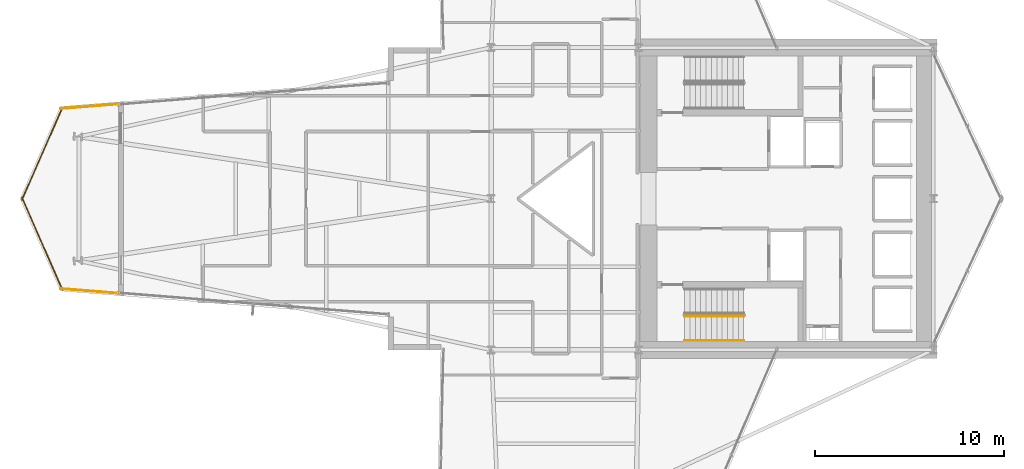
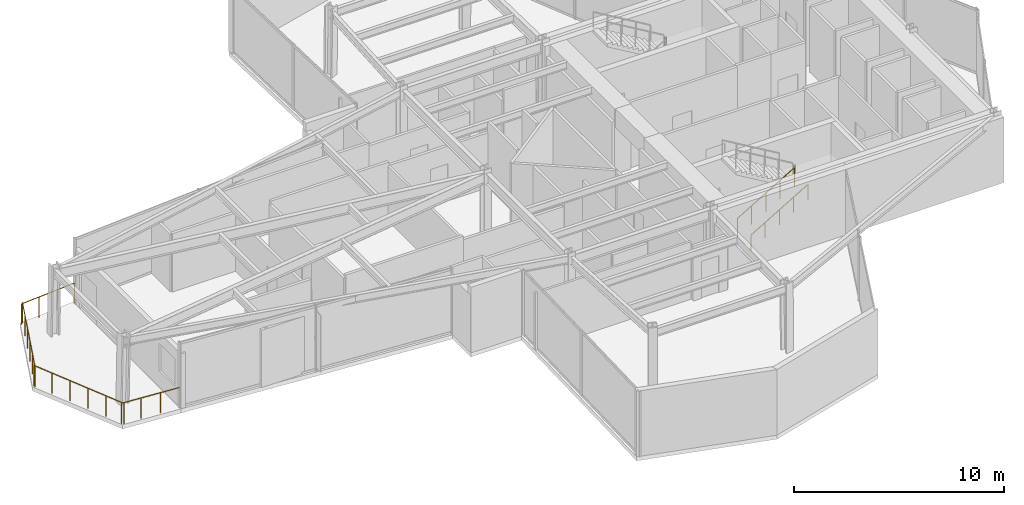
# One storey, part 26 of 27: 6 railings.
"""IFC4 building model written with IfcOpenShell, lengths in metres."""

from ifc_helpers import new_model, si_unit, direction, frame, origin, origin_2d, place, context, subcontext, project, spatial, circle, extrude, material, type_object, element, save


model = new_model("IFC4")

# Units and contexts
model_context = context("Model", 3, precision=1e-05, world=origin(), true_north=direction((0.0, 1.0)))
body_context = subcontext(model_context, "Body", "Model", "MODEL_VIEW")
ifc_project = project(units=[si_unit("LENGTHUNIT", "METRE"), si_unit("AREAUNIT", "SQUARE_METRE"), si_unit("VOLUMEUNIT", "CUBIC_METRE"), si_unit("PLANEANGLEUNIT", "RADIAN"), si_unit("MASSUNIT", "GRAM", prefix="KILO")], contexts=[model_context])

# Site, building, storey
site_placement = place(None, origin())
site = spatial("IfcSite", under=ifc_project, at=site_placement, CompositionType="ELEMENT")
building_placement = place(site_placement, origin())
building = spatial("IfcBuilding", under=site, at=building_placement, Name="Veymaron Broadcast Tower", CompositionType="ELEMENT")
storey_placement = place(building_placement, frame((0.0, 0.0, 86.39990234375)))
storey = spatial("IfcBuildingStorey", under=building, at=storey_placement, Name="L19", CompositionType="ELEMENT", Elevation=86.39990234375)

# Railings
ifc_material_1 = material(Name="Brushed stainless steel AISI 304", Category="steel")
railing_type_1 = type_object("IfcRailingType", Name="RAIL-STAIR-HR", PredefinedType="HANDRAIL", material=ifc_material_1)
railing_1_placement = place(storey_placement, frame((41.429931640625, 16.5, 0.1689453125)))
element("IfcRailing", 1, at=railing_1_placement, inside=storey, type_object=railing_type_1, Name="L19 ST2 stair handrail 1", PredefinedType="HANDRAIL", context=body_context, shape_type="SweptSolid", body=[
    extrude(circle(Radius=0.02392578125, at=origin_2d()), frame((0.0, 0.0, 0.8759765625), z_axis=(0.860481960309, 0.0, 0.509480908359), x_axis=(0.0, 1.0, 0.0)), (0.0, 0.0, 1.0), 3.643310546875),
    extrude(circle(Radius=0.02099609375, at=origin_2d()), origin(), (0.0, 0.0, 1.0), 0.851806640625),
    extrude(circle(Radius=0.02099609375, at=origin_2d()), frame((0.78369140625, 0.0, 0.464111328125)), (0.0, 0.0, 1.0), 0.851806640625),
    extrude(circle(Radius=0.02099609375, at=origin_2d()), frame((1.5673828125, 0.0, 0.92822265625)), (0.0, 0.0, 1.0), 0.851806640625),
    extrude(circle(Radius=0.02099609375, at=origin_2d()), frame((2.351318359375, 0.0, 1.39208984375)), (0.0, 0.0, 1.0), 0.851806640625),
    extrude(circle(Radius=0.02099609375, at=origin_2d()), frame((3.135009765625, 0.0, 1.856201171875)), (0.0, 0.0, 1.0), 0.851806640625),
])
ifc_material_2 = material(Name="Laminated structural sentry-glass and stainless steel AISI 316L", Category="steel")
railing_type_2 = type_object("IfcRailingType", Name="RAIL-TERR-1200", PredefinedType="GUARDRAIL", material=ifc_material_2)
railing_2_placement = place(storey_placement, frame((11.473388671875, 29.006103515625, 0.0)))
element("IfcRailing", 2, at=railing_2_placement, inside=storey, type_object=railing_type_2, Name="L19 sky-terrace perimeter guardrail 2", PredefinedType="GUARDRAIL", context=body_context, shape_type="SweptSolid", body=[
    extrude(circle(Radius=0.02392578125, at=origin_2d()), frame((0.0, 0.0, 1.17578125), z_axis=(-0.996846770384, -0.079350591523, 0.0), x_axis=(0.079350591523, -0.996846770384, 0.0)), (0.0, 0.0, 1.0), 3.07373046875),
    extrude(circle(Radius=0.02099609375, at=origin_2d()), origin(), (0.0, 0.0, 1.0), 1.15185546875),
    extrude(circle(Radius=0.02099609375, at=origin_2d()), frame((-1.021240234375, -0.081298828125, 0.0)), (0.0, 0.0, 1.0), 1.15185546875),
    extrude(circle(Radius=0.02099609375, at=origin_2d()), frame((-2.042724609375, -0.16259765625, 0.0)), (0.0, 0.0, 1.0), 1.15185546875),
    extrude(circle(Radius=0.02099609375, at=origin_2d()), frame((-3.06396484375, -0.243896484375, 0.0)), (0.0, 0.0, 1.0), 1.15185546875),
])
railing_3_placement = place(storey_placement, frame((8.510009765625, 28.83349609375, 0.0)))
element("IfcRailing", 3, at=railing_3_placement, inside=storey, type_object=railing_type_2, Name="L19 sky-terrace perimeter guardrail 3", PredefinedType="GUARDRAIL", context=body_context, shape_type="SweptSolid", body=[
    extrude(circle(Radius=0.02392578125, at=origin_2d()), frame((0.0, 0.0, 1.17578125), z_axis=(-0.400902956229, -0.916120526834, 0.0), x_axis=(0.916120526834, -0.400902956229, 0.0)), (0.0, 0.0, 1.0), 5.32861328125),
    extrude(circle(Radius=0.02099609375, at=origin_2d()), origin(), (0.0, 0.0, 1.0), 1.15185546875),
    extrude(circle(Radius=0.02099609375, at=origin_2d()), frame((-0.42724609375, -0.976318359375, 0.0)), (0.0, 0.0, 1.0), 1.15185546875),
    extrude(circle(Radius=0.02099609375, at=origin_2d()), frame((-0.8544921875, -1.95263671875, 0.0)), (0.0, 0.0, 1.0), 1.15185546875),
    extrude(circle(Radius=0.02099609375, at=origin_2d()), frame((-1.28173828125, -2.928955078125, 0.0)), (0.0, 0.0, 1.0), 1.15185546875),
    extrude(circle(Radius=0.02099609375, at=origin_2d()), frame((-1.708984375, -3.9052734375, 0.0)), (0.0, 0.0, 1.0), 1.15185546875),
    extrude(circle(Radius=0.02099609375, at=origin_2d()), frame((-2.13623046875, -4.881591796875, 0.0)), (0.0, 0.0, 1.0), 1.15185546875),
])
railing_4_placement = place(storey_placement, frame((6.373779296875, 24.048095703125, 0.0)))
element("IfcRailing", 4, at=railing_4_placement, inside=storey, type_object=railing_type_2, Name="L19 sky-terrace perimeter guardrail 4", PredefinedType="GUARDRAIL", context=body_context, shape_type="SweptSolid", body=[
    extrude(circle(Radius=0.02392578125, at=origin_2d()), frame((0.0, 0.0, 1.17578125), z_axis=(0.400902956229, -0.916120526834, 0.0), x_axis=(0.916120526834, 0.400902956229, 0.0)), (0.0, 0.0, 1.0), 5.32861328125),
    extrude(circle(Radius=0.02099609375, at=origin_2d()), origin(), (0.0, 0.0, 1.0), 1.15185546875),
    extrude(circle(Radius=0.02099609375, at=origin_2d()), frame((0.42724609375, -0.976318359375, 0.0)), (0.0, 0.0, 1.0), 1.15185546875),
    extrude(circle(Radius=0.02099609375, at=origin_2d()), frame((0.8544921875, -1.95263671875, 0.0)), (0.0, 0.0, 1.0), 1.15185546875),
    extrude(circle(Radius=0.02099609375, at=origin_2d()), frame((1.28173828125, -2.928955078125, 0.0)), (0.0, 0.0, 1.0), 1.15185546875),
    extrude(circle(Radius=0.02099609375, at=origin_2d()), frame((1.708984375, -3.9052734375, 0.0)), (0.0, 0.0, 1.0), 1.15185546875),
    extrude(circle(Radius=0.02099609375, at=origin_2d()), frame((2.13623046875, -4.881591796875, 0.0)), (0.0, 0.0, 1.0), 1.15185546875),
])
railing_5_placement = place(storey_placement, frame((8.409423828125, 19.23779296875, 0.0)))
element("IfcRailing", 5, at=railing_5_placement, inside=storey, type_object=railing_type_2, Name="L19 sky-terrace perimeter guardrail 5", PredefinedType="GUARDRAIL", context=body_context, shape_type="SweptSolid", body=[
    extrude(circle(Radius=0.02392578125, at=origin_2d()), frame((0.0, 0.0, 1.17578125), z_axis=(0.996846770384, -0.079350591523, 0.0), x_axis=(0.079350591523, 0.996846770384, 0.0)), (0.0, 0.0, 1.0), 3.07373046875),
    extrude(circle(Radius=0.02099609375, at=origin_2d()), origin(), (0.0, 0.0, 1.0), 1.15185546875),
    extrude(circle(Radius=0.02099609375, at=origin_2d()), frame((1.021240234375, -0.081298828125, 0.0)), (0.0, 0.0, 1.0), 1.15185546875),
    extrude(circle(Radius=0.02099609375, at=origin_2d()), frame((2.042724609375, -0.16259765625, 0.0)), (0.0, 0.0, 1.0), 1.15185546875),
    extrude(circle(Radius=0.02099609375, at=origin_2d()), frame((3.06396484375, -0.243896484375, 0.0)), (0.0, 0.0, 1.0), 1.15185546875),
])
ifc_material_3 = material(Name="Painted galvanized steel balustrade", Category="steel")
railing_type_3 = type_object("IfcRailingType", Name="RAIL-WELL-GRD", PredefinedType="GUARDRAIL", material=ifc_material_3)
railing_6_placement = place(storey_placement, frame((41.429931640625, 17.780029296875, 0.1689453125)))
element("IfcRailing", 6, at=railing_6_placement, inside=storey, type_object=railing_type_3, Name="L19 ST2 stair guard 1", PredefinedType="GUARDRAIL", context=body_context, shape_type="SweptSolid", body=[
    extrude(circle(Radius=0.02392578125, at=origin_2d()), frame((0.0, 0.0, 1.076171875), z_axis=(0.860481960309, 0.0, 0.509480908359), x_axis=(0.0, 1.0, 0.0)), (0.0, 0.0, 1.0), 3.643310546875),
    extrude(circle(Radius=0.02099609375, at=origin_2d()), origin(), (0.0, 0.0, 1.0), 1.052001953125),
    extrude(circle(Radius=0.02099609375, at=origin_2d()), frame((0.78369140625, 0.0, 0.464111328125)), (0.0, 0.0, 1.0), 1.052001953125),
    extrude(circle(Radius=0.02099609375, at=origin_2d()), frame((1.5673828125, 0.0, 0.92822265625)), (0.0, 0.0, 1.0), 1.052001953125),
    extrude(circle(Radius=0.02099609375, at=origin_2d()), frame((2.351318359375, 0.0, 1.39208984375)), (0.0, 0.0, 1.0), 1.052001953125),
    extrude(circle(Radius=0.02099609375, at=origin_2d()), frame((3.135009765625, 0.0, 1.856201171875)), (0.0, 0.0, 1.0), 1.052001953125),
])

save(model, "model.ifc")
